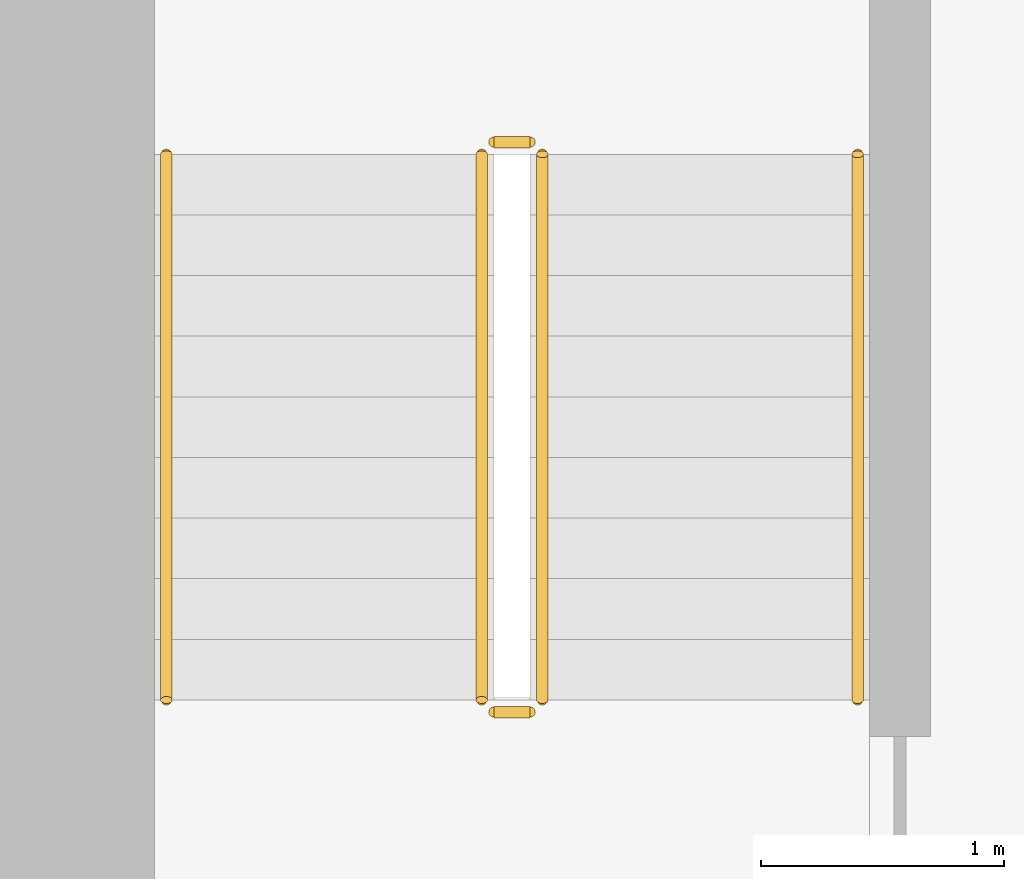
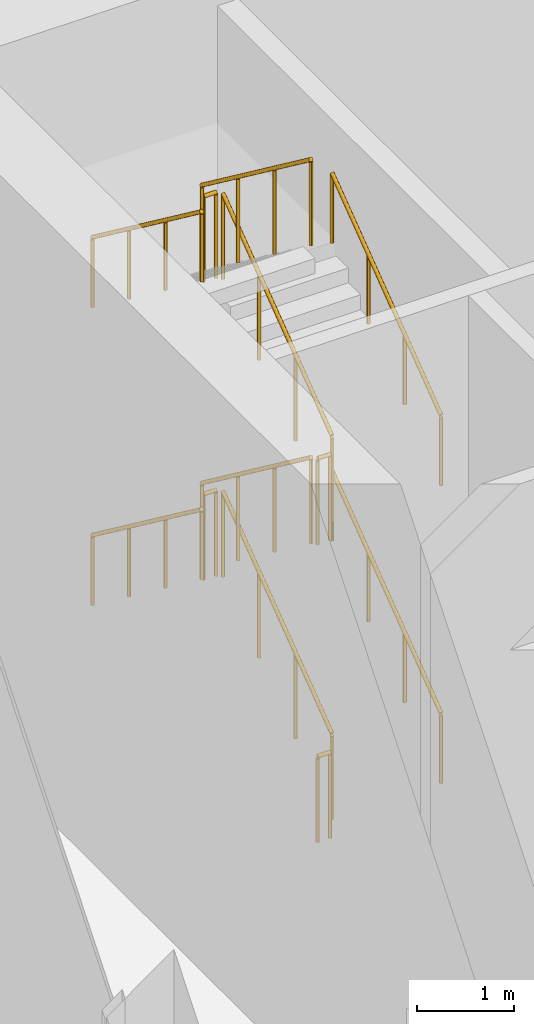
# One storey, part 10 of 13: 12 railings.
"""IFC4 building model written with IfcOpenShell, lengths in metres."""

from ifc_helpers import new_model, si_unit, direction, frame, origin, origin_2d, place, context, subcontext, project, spatial, circle, extrude, source, transform, mapped, material, type_object, element, save


model = new_model("IFC4")

# Units and contexts
model_context = context("Model", 3, precision=1e-05, world=origin(), true_north=direction((0.0, 1.0)))
body_context = subcontext(model_context, "Body", "Model", "MODEL_VIEW")
ifc_project = project(units=[si_unit("LENGTHUNIT", "METRE"), si_unit("AREAUNIT", "SQUARE_METRE"), si_unit("VOLUMEUNIT", "CUBIC_METRE"), si_unit("PLANEANGLEUNIT", "RADIAN"), si_unit("MASSUNIT", "GRAM", prefix="KILO")], contexts=[model_context])

# Site, building, storey
site_placement = place(None, origin())
site = spatial("IfcSite", under=ifc_project, at=site_placement, CompositionType="ELEMENT")
building_placement = place(site_placement, origin())
building = spatial("IfcBuilding", under=site, at=building_placement, Name="Aurelian Terraces", CompositionType="ELEMENT")
storey_placement = place(building_placement, frame((0.0, 0.0, 277.0)))
storey = spatial("IfcBuildingStorey", under=building, at=storey_placement, Name="L63", CompositionType="ELEMENT", Elevation=277.0)

# Railings
ifc_material = material(Name="Stainless steel", Category="steel")
railing_type_1 = type_object("IfcRailingType", Name="Stair guard 1100", PredefinedType="GUARDRAIL", material=ifc_material)
shared_shape_1 = source(origin(), body_context, "Body", "SweptSolid", [
    extrude(circle(Radius=0.024, at=origin_2d()), frame((0.0, 0.0, 1.076), z_axis=(-1.0, 0.0, 0.0), x_axis=(0.0, -1.0, 0.0)), (0.0, 0.0, 1.0), 0.15),
    extrude(circle(Radius=0.021, at=origin_2d()), origin(), (0.0, 0.0, 1.0), 1.052),
    extrude(circle(Radius=0.021, at=origin_2d()), frame((-0.15, 0.0, 0.0)), (0.0, 0.0, 1.0), 1.052),
])
for number, where, name in (
    (1, (5.75, 18.6, 1.875), "L63 S1 stair guard 2"),
    (2, (5.75, 16.25, 3.75), "L63 S1 stair guard 4"),
    (3, (5.75, 18.6, 5.625), "L63 S1 stair guard 6"),
    (4, (5.75, 16.25, 0.0), "L63 S1 stair guard 8"),
):
    element("IfcRailing", number, at=place(storey_placement, frame(where)), inside=storey, type_object=railing_type_1, Name=name, PredefinedType="GUARDRAIL", context=body_context, shape_type="MappedRepresentation", body=[
        mapped(shared_shape_1, transform((0.0, 0.0, 0.0), scale=1.0)),
    ])
shared_shape_2 = source(origin(), body_context, "Body", "SweptSolid", [
    extrude(circle(Radius=0.024, at=origin_2d()), frame((0.0, 0.0, 1.076), z_axis=(0.0, 0.8, 0.6), x_axis=(-1.0, 0.0, 0.0)), (0.0, 0.0, 1.0), 2.8125),
    extrude(circle(Radius=0.021, at=origin_2d()), origin(), (0.0, 0.0, 1.0), 1.052),
    extrude(circle(Radius=0.021, at=origin_2d()), frame((0.0, 0.75, 0.5625)), (0.0, 0.0, 1.0), 1.052),
    extrude(circle(Radius=0.021, at=origin_2d()), frame((0.0, 1.5, 1.125)), (0.0, 0.0, 1.0), 1.052),
    extrude(circle(Radius=0.021, at=origin_2d()), frame((0.0, 2.25, 1.6875)), (0.0, 0.0, 1.0), 1.052),
])
for number, where, name in (
    (5, (5.8, 16.3, 0.1875), "L63 S1 stair guard 1"),
    (6, (5.8, 16.3, 3.9375), "L63 S1 stair guard 5"),
):
    element("IfcRailing", number, at=place(storey_placement, frame(where)), inside=storey, type_object=railing_type_1, Name=name, PredefinedType="GUARDRAIL", context=body_context, shape_type="MappedRepresentation", body=[
        mapped(shared_shape_2, transform((0.0, 0.0, 0.0), scale=1.0)),
    ])
shared_shape_3 = source(origin(), body_context, "Body", "SweptSolid", [
    extrude(circle(Radius=0.024, at=origin_2d()), frame((0.0, 0.0, 1.076), z_axis=(0.0, -0.8, 0.6), x_axis=(1.0, 0.0, 0.0)), (0.0, 0.0, 1.0), 2.8125),
    extrude(circle(Radius=0.021, at=origin_2d()), origin(), (0.0, 0.0, 1.0), 1.052),
    extrude(circle(Radius=0.021, at=origin_2d()), frame((0.0, -0.75, 0.5625)), (0.0, 0.0, 1.0), 1.052),
    extrude(circle(Radius=0.021, at=origin_2d()), frame((0.0, -1.5, 1.125)), (0.0, 0.0, 1.0), 1.052),
    extrude(circle(Radius=0.021, at=origin_2d()), frame((0.0, -2.25, 1.6875)), (0.0, 0.0, 1.0), 1.052),
])
for number, where, name in (
    (7, (5.55, 18.55, 2.0625), "L63 S1 stair guard 3"),
    (8, (5.55, 18.55, 5.8125), "L63 S1 stair guard 7"),
):
    element("IfcRailing", number, at=place(storey_placement, frame(where)), inside=storey, type_object=railing_type_1, Name=name, PredefinedType="GUARDRAIL", context=body_context, shape_type="MappedRepresentation", body=[
        mapped(shared_shape_3, transform((0.0, 0.0, 0.0), scale=1.0)),
    ])
railing_type_2 = type_object("IfcRailingType", Name="Stair handrail", PredefinedType="HANDRAIL", material=ifc_material)
shared_shape_4 = source(origin(), body_context, "Body", "SweptSolid", [
    extrude(circle(Radius=0.024, at=origin_2d()), frame((0.0, 0.0, 0.876), z_axis=(0.0, 0.8, 0.6), x_axis=(-1.0, 0.0, 0.0)), (0.0, 0.0, 1.0), 2.8125),
    extrude(circle(Radius=0.021, at=origin_2d()), origin(), (0.0, 0.0, 1.0), 0.852),
    extrude(circle(Radius=0.021, at=origin_2d()), frame((0.0, 0.75, 0.5625)), (0.0, 0.0, 1.0), 0.852),
    extrude(circle(Radius=0.021, at=origin_2d()), frame((0.0, 1.5, 1.125)), (0.0, 0.0, 1.0), 0.852),
    extrude(circle(Radius=0.021, at=origin_2d()), frame((0.0, 2.25, 1.6875)), (0.0, 0.0, 1.0), 0.852),
])
for number, where, name in (
    (9, (7.1, 16.3, 0.1875), "L63 S1 stair handrail 1"),
    (10, (7.1, 16.3, 3.9375), "L63 S1 stair handrail 3"),
):
    element("IfcRailing", number, at=place(storey_placement, frame(where)), inside=storey, type_object=railing_type_2, Name=name, PredefinedType="HANDRAIL", context=body_context, shape_type="MappedRepresentation", body=[
        mapped(shared_shape_4, transform((0.0, 0.0, 0.0), scale=1.0)),
    ])
shared_shape_5 = source(origin(), body_context, "Body", "SweptSolid", [
    extrude(circle(Radius=0.024, at=origin_2d()), frame((0.0, 0.0, 0.876), z_axis=(0.0, -0.8, 0.6), x_axis=(1.0, 0.0, 0.0)), (0.0, 0.0, 1.0), 2.8125),
    extrude(circle(Radius=0.021, at=origin_2d()), origin(), (0.0, 0.0, 1.0), 0.852),
    extrude(circle(Radius=0.021, at=origin_2d()), frame((0.0, -0.75, 0.5625)), (0.0, 0.0, 1.0), 0.852),
    extrude(circle(Radius=0.021, at=origin_2d()), frame((0.0, -1.5, 1.125)), (0.0, 0.0, 1.0), 0.852),
    extrude(circle(Radius=0.021, at=origin_2d()), frame((0.0, -2.25, 1.6875)), (0.0, 0.0, 1.0), 0.852),
])
for number, where, name in (
    (11, (4.25, 18.55, 2.0625), "L63 S1 stair handrail 2"),
    (12, (4.25, 18.55, 5.8125), "L63 S1 stair handrail 4"),
):
    element("IfcRailing", number, at=place(storey_placement, frame(where)), inside=storey, type_object=railing_type_2, Name=name, PredefinedType="HANDRAIL", context=body_context, shape_type="MappedRepresentation", body=[
        mapped(shared_shape_5, transform((0.0, 0.0, 0.0), scale=1.0)),
    ])

save(model, "model.ifc")
